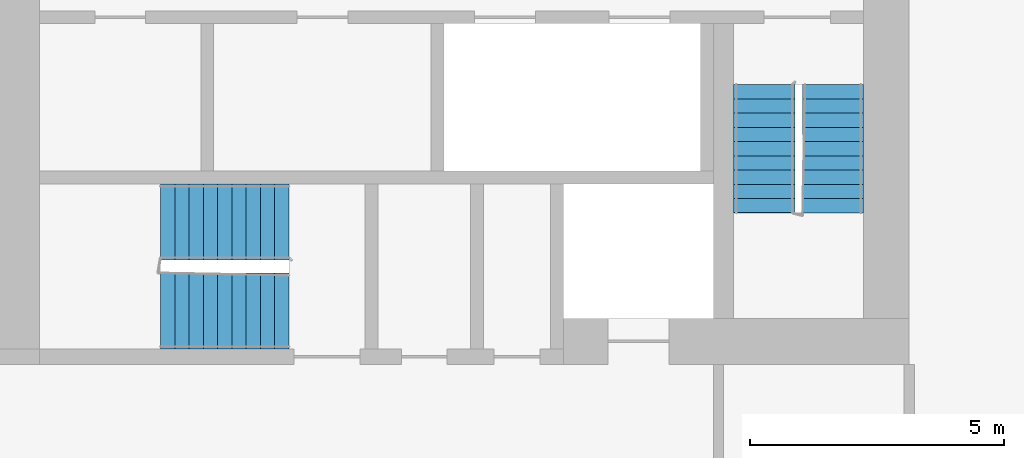
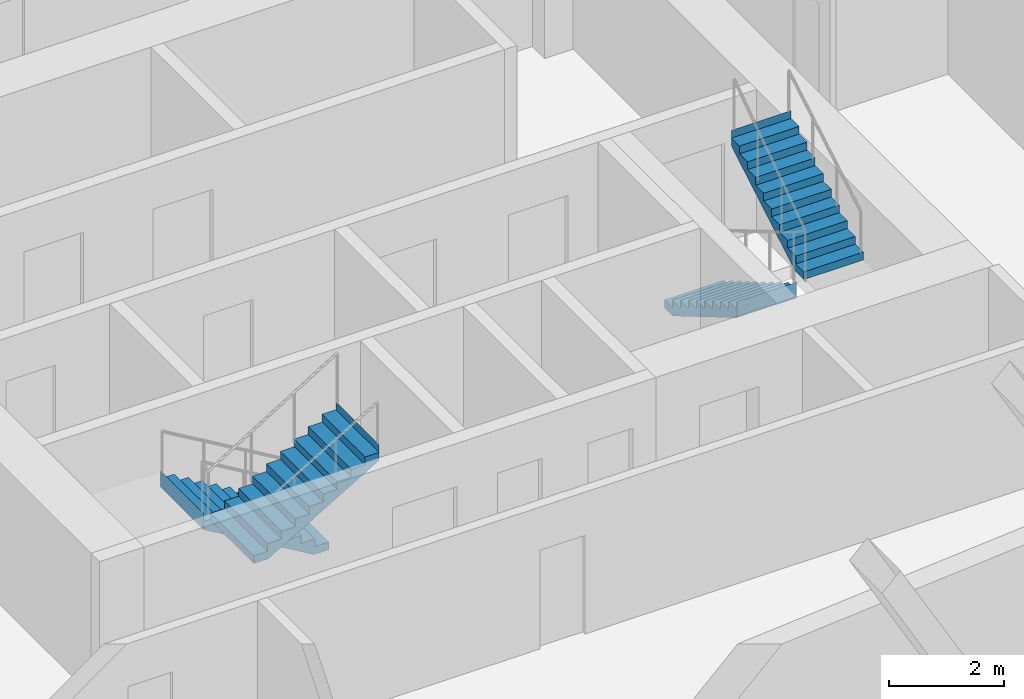
# One storey, part 9 of 13: 4 stair flights, 2 elements without a shape of their own.
"""IFC4 building model written with IfcOpenShell, lengths in metres."""

from ifc_helpers import new_model, si_unit, direction, frame, origin, place, context, subcontext, project, spatial, faceted_brep, material, type_object, element, aggregate, save


model = new_model("IFC4")

# Units and contexts
model_context = context("Model", 3, precision=1e-05, world=origin(), true_north=direction((0.0, 1.0)))
body_context = subcontext(model_context, "Body", "Model", "MODEL_VIEW")
ifc_project = project(units=[si_unit("LENGTHUNIT", "METRE"), si_unit("AREAUNIT", "SQUARE_METRE"), si_unit("VOLUMEUNIT", "CUBIC_METRE"), si_unit("PLANEANGLEUNIT", "RADIAN"), si_unit("MASSUNIT", "GRAM", prefix="KILO")], contexts=[model_context])

# Site, building, storey
site_placement = place(None, origin())
site = spatial("IfcSite", under=ifc_project, at=site_placement, CompositionType="ELEMENT")
building_placement = place(site_placement, origin())
building = spatial("IfcBuilding", under=site, at=building_placement, Name="Kajstack Hotel Tower", CompositionType="ELEMENT")
storey_placement = place(building_placement, frame((0.0, 0.0, 186.699951171875)))
storey = spatial("IfcBuildingStorey", under=building, at=storey_placement, Name="L44", CompositionType="ELEMENT", Elevation=186.699951171875)

# Stair, stair flights
ifc_material = material(Name="Concrete C40/50", Category="concrete")
stair_type_1 = type_object("IfcStairType", Name="Exit stair 1200", PredefinedType="HALF_TURN_STAIR", material=ifc_material)
stair_1_placement = place(storey_placement, origin())
stair_1 = element("IfcStair", 1, at=stair_1_placement, inside=storey, type_object=stair_type_1, Name="L44 stair W2", PredefinedType="HALF_TURN_STAIR")
stair_flight_type_1 = type_object("IfcStairFlightType", Name="Exit stair flight 1200", PredefinedType="STRAIGHT", material=ifc_material)
stair_flight_1_placement = place(storey_placement, frame((-16.35009765625, -10.0, 0.0), z_axis=(0.0, 0.0, 1.0), x_axis=(0.0, -1.0, 0.0)))
stair_flight_1 = element("IfcStairFlight", 2, at=stair_flight_1_placement, type_object=stair_flight_type_1, Name="W2 flight 1", NumberOfRisers=10, NumberOfTreads=9, PredefinedType="STRAIGHT", RiserHeight=0.165, TreadLength=0.28, context=body_context, shape_type="Brep", body=[
    faceted_brep([(0.295654296875, -0.60009765625, 0.0), (2.5205078125, -0.60009765625, 1.31103515625), (2.5205078125, -0.60009765625, 1.64990234375), (2.52001953125, -0.60009765625, 1.64990234375), (2.52001953125, -0.60009765625, 1.485107421875), (2.239990234375, -0.60009765625, 1.485107421875), (2.239990234375, -0.60009765625, 1.320068359375), (1.9599609375, -0.60009765625, 1.320068359375), (1.9599609375, -0.60009765625, 1.155029296875), (1.679931640625, -0.60009765625, 1.155029296875), (1.679931640625, -0.60009765625, 0.989990234375), (1.39990234375, -0.60009765625, 0.989990234375), (1.39990234375, -0.60009765625, 0.824951171875), (1.1201171875, -0.60009765625, 0.824951171875), (1.1201171875, -0.60009765625, 0.659912109375), (0.840087890625, -0.60009765625, 0.659912109375), (0.840087890625, -0.60009765625, 0.4951171875), (0.56005859375, -0.60009765625, 0.4951171875), (0.56005859375, -0.60009765625, 0.330078125), (0.280029296875, -0.60009765625, 0.330078125), (0.280029296875, -0.60009765625, 0.1650390625), (-0.00048828125, -0.60009765625, 0.1650390625), (-0.00048828125, -0.60009765625, 0.0), (-0.00048828125, 0.60009765625, 0.0), (-0.00048828125, 0.60009765625, 0.1650390625), (0.280029296875, 0.60009765625, 0.1650390625), (0.280029296875, 0.60009765625, 0.330078125), (0.56005859375, 0.60009765625, 0.330078125), (0.56005859375, 0.60009765625, 0.4951171875), (0.840087890625, 0.60009765625, 0.4951171875), (0.840087890625, 0.60009765625, 0.659912109375), (1.1201171875, 0.60009765625, 0.659912109375), (1.1201171875, 0.60009765625, 0.824951171875), (1.39990234375, 0.60009765625, 0.824951171875), (1.39990234375, 0.60009765625, 0.989990234375), (1.679931640625, 0.60009765625, 0.989990234375), (1.679931640625, 0.60009765625, 1.155029296875), (1.9599609375, 0.60009765625, 1.155029296875), (1.9599609375, 0.60009765625, 1.320068359375), (2.239990234375, 0.60009765625, 1.320068359375), (2.239990234375, 0.60009765625, 1.485107421875), (2.52001953125, 0.60009765625, 1.485107421875), (2.52001953125, 0.60009765625, 1.64990234375), (2.5205078125, 0.60009765625, 1.64990234375), (2.5205078125, 0.60009765625, 1.31103515625), (0.295654296875, 0.60009765625, 0.0), (-0.00048828125, -0.300048828125, 0.1650390625), (-0.00048828125, 0.0, 0.1650390625), (-0.00048828125, 0.300048828125, 0.1650390625), (-0.00048828125, 0.300048828125, 0.0), (-0.00048828125, 0.0, 0.0), (-0.00048828125, -0.300048828125, 0.0), (0.280029296875, -0.300048828125, 0.1650390625), (0.280029296875, 0.0, 0.1650390625), (0.280029296875, 0.300048828125, 0.1650390625), (0.280029296875, -0.300048828125, 0.330078125), (0.280029296875, 0.0, 0.330078125), (0.280029296875, 0.300048828125, 0.330078125), (0.56005859375, -0.300048828125, 0.330078125), (0.56005859375, 0.0, 0.330078125), (0.56005859375, 0.300048828125, 0.330078125), (0.56005859375, -0.300048828125, 0.4951171875), (0.56005859375, 0.0, 0.4951171875), (0.56005859375, 0.300048828125, 0.4951171875), (0.840087890625, -0.300048828125, 0.4951171875), (0.840087890625, 0.0, 0.4951171875), (0.840087890625, 0.300048828125, 0.4951171875), (0.840087890625, -0.300048828125, 0.659912109375), (0.840087890625, 0.0, 0.659912109375), (0.840087890625, 0.300048828125, 0.659912109375), (1.1201171875, -0.300048828125, 0.659912109375), (1.1201171875, 0.0, 0.659912109375), (1.1201171875, 0.300048828125, 0.659912109375), (1.1201171875, -0.300048828125, 0.824951171875), (1.1201171875, 0.0, 0.824951171875), (1.1201171875, 0.300048828125, 0.824951171875), (1.39990234375, -0.300048828125, 0.824951171875), (1.39990234375, 0.0, 0.824951171875), (1.39990234375, 0.300048828125, 0.824951171875), (1.39990234375, -0.300048828125, 0.989990234375), (1.39990234375, 0.0, 0.989990234375), (1.39990234375, 0.300048828125, 0.989990234375), (1.679931640625, -0.300048828125, 0.989990234375), (1.679931640625, 0.0, 0.989990234375), (1.679931640625, 0.300048828125, 0.989990234375), (1.679931640625, -0.300048828125, 1.155029296875), (1.679931640625, 0.0, 1.155029296875), (1.679931640625, 0.300048828125, 1.155029296875), (1.9599609375, -0.300048828125, 1.155029296875), (1.9599609375, 0.0, 1.155029296875), (1.9599609375, 0.300048828125, 1.155029296875), (1.9599609375, -0.300048828125, 1.320068359375), (1.9599609375, 0.0, 1.320068359375), (1.9599609375, 0.300048828125, 1.320068359375), (2.239990234375, -0.300048828125, 1.320068359375), (2.239990234375, 0.0, 1.320068359375), (2.239990234375, 0.300048828125, 1.320068359375), (2.239990234375, -0.300048828125, 1.485107421875), (2.239990234375, 0.0, 1.485107421875), (2.239990234375, 0.300048828125, 1.485107421875), (2.52001953125, -0.300048828125, 1.485107421875), (2.52001953125, 0.0, 1.485107421875), (2.52001953125, 0.300048828125, 1.485107421875), (2.52001953125, -0.300048828125, 1.64990234375), (2.52001953125, 0.0, 1.64990234375), (2.52001953125, 0.300048828125, 1.64990234375), (2.5205078125, -0.300048828125, 1.64990234375), (2.5205078125, 0.0, 1.64990234375), (2.5205078125, 0.300048828125, 1.64990234375), (2.5205078125, -0.300048828125, 1.31103515625), (2.5205078125, 0.0, 1.31103515625), (2.5205078125, 0.300048828125, 1.31103515625), (0.295654296875, -0.300048828125, 0.0), (0.295654296875, 0.0, 0.0), (0.295654296875, 0.300048828125, 0.0)], [[[0, 1, 2, 3, 4, 5, 6, 7, 8, 9, 10, 11, 12, 13, 14, 15, 16, 17, 18, 19, 20, 21, 22]], [[23, 24, 25, 26, 27, 28, 29, 30, 31, 32, 33, 34, 35, 36, 37, 38, 39, 40, 41, 42, 43, 44, 45]], [[21, 46, 47, 48, 24, 23, 49, 50, 51, 22]], [[20, 52, 53, 54, 25, 24, 48, 47, 46, 21]], [[19, 55, 56, 57, 26, 25, 54, 53, 52, 20]], [[18, 58, 59, 60, 27, 26, 57, 56, 55, 19]], [[17, 61, 62, 63, 28, 27, 60, 59, 58, 18]], [[16, 64, 65, 66, 29, 28, 63, 62, 61, 17]], [[15, 67, 68, 69, 30, 29, 66, 65, 64, 16]], [[14, 70, 71, 72, 31, 30, 69, 68, 67, 15]], [[13, 73, 74, 75, 32, 31, 72, 71, 70, 14]], [[12, 76, 77, 78, 33, 32, 75, 74, 73, 13]], [[11, 79, 80, 81, 34, 33, 78, 77, 76, 12]], [[10, 82, 83, 84, 35, 34, 81, 80, 79, 11]], [[9, 85, 86, 87, 36, 35, 84, 83, 82, 10]], [[8, 88, 89, 90, 37, 36, 87, 86, 85, 9]], [[7, 91, 92, 93, 38, 37, 90, 89, 88, 8]], [[6, 94, 95, 96, 39, 38, 93, 92, 91, 7]], [[5, 97, 98, 99, 40, 39, 96, 95, 94, 6]], [[4, 100, 101, 102, 41, 40, 99, 98, 97, 5]], [[3, 103, 104, 105, 42, 41, 102, 101, 100, 4]], [[2, 106, 107, 108, 43, 42, 105, 104, 103, 3]], [[1, 109, 110, 111, 44, 43, 108, 107, 106, 2]], [[0, 112, 113, 114, 45, 44, 111, 110, 109, 1]], [[22, 51, 50, 49, 23, 45, 114, 113, 112, 0]]]),
])
stair_flight_2_placement = place(storey_placement, frame((-15.0, -12.52001953125, 1.650146484375), z_axis=(0.0, 0.0, 1.0), x_axis=(0.0, 1.0, 0.0)))
stair_flight_2 = element("IfcStairFlight", 3, at=stair_flight_2_placement, type_object=stair_flight_type_1, Name="W2 flight 2", NumberOfRisers=10, NumberOfTreads=9, PredefinedType="STRAIGHT", RiserHeight=0.165, TreadLength=0.28, context=body_context, shape_type="Brep", body=[
    faceted_brep([(0.295654296875, -0.60009765625, 0.0), (2.5205078125, -0.60009765625, 1.31103515625), (2.5205078125, -0.60009765625, 1.64990234375), (2.52001953125, -0.60009765625, 1.64990234375), (2.52001953125, -0.60009765625, 1.485107421875), (2.239990234375, -0.60009765625, 1.485107421875), (2.239990234375, -0.60009765625, 1.320068359375), (1.9599609375, -0.60009765625, 1.320068359375), (1.9599609375, -0.60009765625, 1.155029296875), (1.679931640625, -0.60009765625, 1.155029296875), (1.679931640625, -0.60009765625, 0.989990234375), (1.39990234375, -0.60009765625, 0.989990234375), (1.39990234375, -0.60009765625, 0.824951171875), (1.1201171875, -0.60009765625, 0.824951171875), (1.1201171875, -0.60009765625, 0.659912109375), (0.840087890625, -0.60009765625, 0.659912109375), (0.840087890625, -0.60009765625, 0.4951171875), (0.56005859375, -0.60009765625, 0.4951171875), (0.56005859375, -0.60009765625, 0.330078125), (0.280029296875, -0.60009765625, 0.330078125), (0.280029296875, -0.60009765625, 0.1650390625), (-0.00048828125, -0.60009765625, 0.1650390625), (-0.00048828125, -0.60009765625, 0.0), (-0.00048828125, 0.60009765625, 0.0), (-0.00048828125, 0.60009765625, 0.1650390625), (0.280029296875, 0.60009765625, 0.1650390625), (0.280029296875, 0.60009765625, 0.330078125), (0.56005859375, 0.60009765625, 0.330078125), (0.56005859375, 0.60009765625, 0.4951171875), (0.840087890625, 0.60009765625, 0.4951171875), (0.840087890625, 0.60009765625, 0.659912109375), (1.1201171875, 0.60009765625, 0.659912109375), (1.1201171875, 0.60009765625, 0.824951171875), (1.39990234375, 0.60009765625, 0.824951171875), (1.39990234375, 0.60009765625, 0.989990234375), (1.679931640625, 0.60009765625, 0.989990234375), (1.679931640625, 0.60009765625, 1.155029296875), (1.9599609375, 0.60009765625, 1.155029296875), (1.9599609375, 0.60009765625, 1.320068359375), (2.239990234375, 0.60009765625, 1.320068359375), (2.239990234375, 0.60009765625, 1.485107421875), (2.52001953125, 0.60009765625, 1.485107421875), (2.52001953125, 0.60009765625, 1.64990234375), (2.5205078125, 0.60009765625, 1.64990234375), (2.5205078125, 0.60009765625, 1.31103515625), (0.295654296875, 0.60009765625, 0.0), (-0.00048828125, -0.300048828125, 0.1650390625), (-0.00048828125, 0.0, 0.1650390625), (-0.00048828125, 0.300048828125, 0.1650390625), (-0.00048828125, 0.300048828125, 0.0), (-0.00048828125, 0.0, 0.0), (-0.00048828125, -0.300048828125, 0.0), (0.280029296875, -0.300048828125, 0.1650390625), (0.280029296875, 0.0, 0.1650390625), (0.280029296875, 0.300048828125, 0.1650390625), (0.280029296875, -0.300048828125, 0.330078125), (0.280029296875, 0.0, 0.330078125), (0.280029296875, 0.300048828125, 0.330078125), (0.56005859375, -0.300048828125, 0.330078125), (0.56005859375, 0.0, 0.330078125), (0.56005859375, 0.300048828125, 0.330078125), (0.56005859375, -0.300048828125, 0.4951171875), (0.56005859375, 0.0, 0.4951171875), (0.56005859375, 0.300048828125, 0.4951171875), (0.840087890625, -0.300048828125, 0.4951171875), (0.840087890625, 0.0, 0.4951171875), (0.840087890625, 0.300048828125, 0.4951171875), (0.840087890625, -0.300048828125, 0.659912109375), (0.840087890625, 0.0, 0.659912109375), (0.840087890625, 0.300048828125, 0.659912109375), (1.1201171875, -0.300048828125, 0.659912109375), (1.1201171875, 0.0, 0.659912109375), (1.1201171875, 0.300048828125, 0.659912109375), (1.1201171875, -0.300048828125, 0.824951171875), (1.1201171875, 0.0, 0.824951171875), (1.1201171875, 0.300048828125, 0.824951171875), (1.39990234375, -0.300048828125, 0.824951171875), (1.39990234375, 0.0, 0.824951171875), (1.39990234375, 0.300048828125, 0.824951171875), (1.39990234375, -0.300048828125, 0.989990234375), (1.39990234375, 0.0, 0.989990234375), (1.39990234375, 0.300048828125, 0.989990234375), (1.679931640625, -0.300048828125, 0.989990234375), (1.679931640625, 0.0, 0.989990234375), (1.679931640625, 0.300048828125, 0.989990234375), (1.679931640625, -0.300048828125, 1.155029296875), (1.679931640625, 0.0, 1.155029296875), (1.679931640625, 0.300048828125, 1.155029296875), (1.9599609375, -0.300048828125, 1.155029296875), (1.9599609375, 0.0, 1.155029296875), (1.9599609375, 0.300048828125, 1.155029296875), (1.9599609375, -0.300048828125, 1.320068359375), (1.9599609375, 0.0, 1.320068359375), (1.9599609375, 0.300048828125, 1.320068359375), (2.239990234375, -0.300048828125, 1.320068359375), (2.239990234375, 0.0, 1.320068359375), (2.239990234375, 0.300048828125, 1.320068359375), (2.239990234375, -0.300048828125, 1.485107421875), (2.239990234375, 0.0, 1.485107421875), (2.239990234375, 0.300048828125, 1.485107421875), (2.52001953125, -0.300048828125, 1.485107421875), (2.52001953125, 0.0, 1.485107421875), (2.52001953125, 0.300048828125, 1.485107421875), (2.52001953125, -0.300048828125, 1.64990234375), (2.52001953125, 0.0, 1.64990234375), (2.52001953125, 0.300048828125, 1.64990234375), (2.5205078125, -0.300048828125, 1.64990234375), (2.5205078125, 0.0, 1.64990234375), (2.5205078125, 0.300048828125, 1.64990234375), (2.5205078125, -0.300048828125, 1.31103515625), (2.5205078125, 0.0, 1.31103515625), (2.5205078125, 0.300048828125, 1.31103515625), (0.295654296875, -0.300048828125, 0.0), (0.295654296875, 0.0, 0.0), (0.295654296875, 0.300048828125, 0.0)], [[[0, 1, 2, 3, 4, 5, 6, 7, 8, 9, 10, 11, 12, 13, 14, 15, 16, 17, 18, 19, 20, 21, 22]], [[23, 24, 25, 26, 27, 28, 29, 30, 31, 32, 33, 34, 35, 36, 37, 38, 39, 40, 41, 42, 43, 44, 45]], [[21, 46, 47, 48, 24, 23, 49, 50, 51, 22]], [[20, 52, 53, 54, 25, 24, 48, 47, 46, 21]], [[19, 55, 56, 57, 26, 25, 54, 53, 52, 20]], [[18, 58, 59, 60, 27, 26, 57, 56, 55, 19]], [[17, 61, 62, 63, 28, 27, 60, 59, 58, 18]], [[16, 64, 65, 66, 29, 28, 63, 62, 61, 17]], [[15, 67, 68, 69, 30, 29, 66, 65, 64, 16]], [[14, 70, 71, 72, 31, 30, 69, 68, 67, 15]], [[13, 73, 74, 75, 32, 31, 72, 71, 70, 14]], [[12, 76, 77, 78, 33, 32, 75, 74, 73, 13]], [[11, 79, 80, 81, 34, 33, 78, 77, 76, 12]], [[10, 82, 83, 84, 35, 34, 81, 80, 79, 11]], [[9, 85, 86, 87, 36, 35, 84, 83, 82, 10]], [[8, 88, 89, 90, 37, 36, 87, 86, 85, 9]], [[7, 91, 92, 93, 38, 37, 90, 89, 88, 8]], [[6, 94, 95, 96, 39, 38, 93, 92, 91, 7]], [[5, 97, 98, 99, 40, 39, 96, 95, 94, 6]], [[4, 100, 101, 102, 41, 40, 99, 98, 97, 5]], [[3, 103, 104, 105, 42, 41, 102, 101, 100, 4]], [[2, 106, 107, 108, 43, 42, 105, 104, 103, 3]], [[1, 109, 110, 111, 44, 43, 108, 107, 106, 2]], [[0, 112, 113, 114, 45, 44, 111, 110, 109, 1]], [[22, 51, 50, 49, 23, 45, 114, 113, 112, 0]]]),
])
aggregate(stair_1, [stair_flight_1, stair_flight_2])

stair_type_2 = type_object("IfcStairType", Name="Exit stair 1500", PredefinedType="HALF_TURN_STAIR", material=ifc_material)
stair_2_placement = place(storey_placement, origin())
stair_2 = element("IfcStair", 4, at=stair_2_placement, inside=storey, type_object=stair_type_2, Name="L44 stair W3", PredefinedType="HALF_TURN_STAIR")
stair_flight_type_2 = type_object("IfcStairFlightType", Name="Exit stair flight 1500", PredefinedType="STRAIGHT", material=ifc_material)
stair_flight_3_placement = place(storey_placement, frame((-25.699951171875, -12.699951171875, 0.0), z_axis=(0.0, 0.0, 1.0), x_axis=(-1.0, 0.0, 0.0)))
stair_flight_3 = element("IfcStairFlight", 5, at=stair_flight_3_placement, type_object=stair_flight_type_2, Name="W3 flight 1", NumberOfRisers=10, NumberOfTreads=9, PredefinedType="STRAIGHT", RiserHeight=0.165, TreadLength=0.28, context=body_context, shape_type="Brep", body=[
    faceted_brep([(0.295654296875, -0.75, 0.0), (2.5205078125, -0.75, 1.31103515625), (2.5205078125, -0.75, 1.64990234375), (2.52001953125, -0.75, 1.64990234375), (2.52001953125, -0.75, 1.485107421875), (2.239990234375, -0.75, 1.485107421875), (2.239990234375, -0.75, 1.320068359375), (1.9599609375, -0.75, 1.320068359375), (1.9599609375, -0.75, 1.155029296875), (1.679931640625, -0.75, 1.155029296875), (1.679931640625, -0.75, 0.989990234375), (1.39990234375, -0.75, 0.989990234375), (1.39990234375, -0.75, 0.824951171875), (1.1201171875, -0.75, 0.824951171875), (1.1201171875, -0.75, 0.659912109375), (0.840087890625, -0.75, 0.659912109375), (0.840087890625, -0.75, 0.4951171875), (0.56005859375, -0.75, 0.4951171875), (0.56005859375, -0.75, 0.330078125), (0.280029296875, -0.75, 0.330078125), (0.280029296875, -0.75, 0.1650390625), (-0.00048828125, -0.75, 0.1650390625), (-0.00048828125, -0.75, 0.0), (-0.00048828125, 0.75, 0.0), (-0.00048828125, 0.75, 0.1650390625), (0.280029296875, 0.75, 0.1650390625), (0.280029296875, 0.75, 0.330078125), (0.56005859375, 0.75, 0.330078125), (0.56005859375, 0.75, 0.4951171875), (0.840087890625, 0.75, 0.4951171875), (0.840087890625, 0.75, 0.659912109375), (1.1201171875, 0.75, 0.659912109375), (1.1201171875, 0.75, 0.824951171875), (1.39990234375, 0.75, 0.824951171875), (1.39990234375, 0.75, 0.989990234375), (1.679931640625, 0.75, 0.989990234375), (1.679931640625, 0.75, 1.155029296875), (1.9599609375, 0.75, 1.155029296875), (1.9599609375, 0.75, 1.320068359375), (2.239990234375, 0.75, 1.320068359375), (2.239990234375, 0.75, 1.485107421875), (2.52001953125, 0.75, 1.485107421875), (2.52001953125, 0.75, 1.64990234375), (2.5205078125, 0.75, 1.64990234375), (2.5205078125, 0.75, 1.31103515625), (0.295654296875, 0.75, 0.0), (-0.00048828125, -0.375, 0.1650390625), (-0.00048828125, 0.0, 0.1650390625), (-0.00048828125, 0.375, 0.1650390625), (-0.00048828125, 0.375, 0.0), (-0.00048828125, 0.0, 0.0), (-0.00048828125, -0.375, 0.0), (0.280029296875, -0.375, 0.1650390625), (0.280029296875, 0.0, 0.1650390625), (0.280029296875, 0.375, 0.1650390625), (0.280029296875, -0.375, 0.330078125), (0.280029296875, 0.0, 0.330078125), (0.280029296875, 0.375, 0.330078125), (0.56005859375, -0.375, 0.330078125), (0.56005859375, 0.0, 0.330078125), (0.56005859375, 0.375, 0.330078125), (0.56005859375, -0.375, 0.4951171875), (0.56005859375, 0.0, 0.4951171875), (0.56005859375, 0.375, 0.4951171875), (0.840087890625, -0.375, 0.4951171875), (0.840087890625, 0.0, 0.4951171875), (0.840087890625, 0.375, 0.4951171875), (0.840087890625, -0.375, 0.659912109375), (0.840087890625, 0.0, 0.659912109375), (0.840087890625, 0.375, 0.659912109375), (1.1201171875, -0.375, 0.659912109375), (1.1201171875, 0.0, 0.659912109375), (1.1201171875, 0.375, 0.659912109375), (1.1201171875, -0.375, 0.824951171875), (1.1201171875, 0.0, 0.824951171875), (1.1201171875, 0.375, 0.824951171875), (1.39990234375, -0.375, 0.824951171875), (1.39990234375, 0.0, 0.824951171875), (1.39990234375, 0.375, 0.824951171875), (1.39990234375, -0.375, 0.989990234375), (1.39990234375, 0.0, 0.989990234375), (1.39990234375, 0.375, 0.989990234375), (1.679931640625, -0.375, 0.989990234375), (1.679931640625, 0.0, 0.989990234375), (1.679931640625, 0.375, 0.989990234375), (1.679931640625, -0.375, 1.155029296875), (1.679931640625, 0.0, 1.155029296875), (1.679931640625, 0.375, 1.155029296875), (1.9599609375, -0.375, 1.155029296875), (1.9599609375, 0.0, 1.155029296875), (1.9599609375, 0.375, 1.155029296875), (1.9599609375, -0.375, 1.320068359375), (1.9599609375, 0.0, 1.320068359375), (1.9599609375, 0.375, 1.320068359375), (2.239990234375, -0.375, 1.320068359375), (2.239990234375, 0.0, 1.320068359375), (2.239990234375, 0.375, 1.320068359375), (2.239990234375, -0.375, 1.485107421875), (2.239990234375, 0.0, 1.485107421875), (2.239990234375, 0.375, 1.485107421875), (2.52001953125, -0.375, 1.485107421875), (2.52001953125, 0.0, 1.485107421875), (2.52001953125, 0.375, 1.485107421875), (2.52001953125, -0.375, 1.64990234375), (2.52001953125, 0.0, 1.64990234375), (2.52001953125, 0.375, 1.64990234375), (2.5205078125, -0.375, 1.64990234375), (2.5205078125, 0.0, 1.64990234375), (2.5205078125, 0.375, 1.64990234375), (2.5205078125, -0.375, 1.31103515625), (2.5205078125, 0.0, 1.31103515625), (2.5205078125, 0.375, 1.31103515625), (0.295654296875, -0.375, 0.0), (0.295654296875, 0.0, 0.0), (0.295654296875, 0.375, 0.0)], [[[0, 1, 2, 3, 4, 5, 6, 7, 8, 9, 10, 11, 12, 13, 14, 15, 16, 17, 18, 19, 20, 21, 22]], [[23, 24, 25, 26, 27, 28, 29, 30, 31, 32, 33, 34, 35, 36, 37, 38, 39, 40, 41, 42, 43, 44, 45]], [[21, 46, 47, 48, 24, 23, 49, 50, 51, 22]], [[20, 52, 53, 54, 25, 24, 48, 47, 46, 21]], [[19, 55, 56, 57, 26, 25, 54, 53, 52, 20]], [[18, 58, 59, 60, 27, 26, 57, 56, 55, 19]], [[17, 61, 62, 63, 28, 27, 60, 59, 58, 18]], [[16, 64, 65, 66, 29, 28, 63, 62, 61, 17]], [[15, 67, 68, 69, 30, 29, 66, 65, 64, 16]], [[14, 70, 71, 72, 31, 30, 69, 68, 67, 15]], [[13, 73, 74, 75, 32, 31, 72, 71, 70, 14]], [[12, 76, 77, 78, 33, 32, 75, 74, 73, 13]], [[11, 79, 80, 81, 34, 33, 78, 77, 76, 12]], [[10, 82, 83, 84, 35, 34, 81, 80, 79, 11]], [[9, 85, 86, 87, 36, 35, 84, 83, 82, 10]], [[8, 88, 89, 90, 37, 36, 87, 86, 85, 9]], [[7, 91, 92, 93, 38, 37, 90, 89, 88, 8]], [[6, 94, 95, 96, 39, 38, 93, 92, 91, 7]], [[5, 97, 98, 99, 40, 39, 96, 95, 94, 6]], [[4, 100, 101, 102, 41, 40, 99, 98, 97, 5]], [[3, 103, 104, 105, 42, 41, 102, 101, 100, 4]], [[2, 106, 107, 108, 43, 42, 105, 104, 103, 3]], [[1, 109, 110, 111, 44, 43, 108, 107, 106, 2]], [[0, 112, 113, 114, 45, 44, 111, 110, 109, 1]], [[22, 51, 50, 49, 23, 45, 114, 113, 112, 0]]]),
])
stair_flight_4_placement = place(storey_placement, frame((-28.219970703125, -14.449951171875, 1.650146484375), z_axis=(0.0, 0.0, 1.0), x_axis=(1.0, 0.0, 0.0)))
stair_flight_4 = element("IfcStairFlight", 6, at=stair_flight_4_placement, type_object=stair_flight_type_2, Name="W3 flight 2", NumberOfRisers=10, NumberOfTreads=9, PredefinedType="STRAIGHT", RiserHeight=0.165, TreadLength=0.28, context=body_context, shape_type="Brep", body=[
    faceted_brep([(0.295654296875, -0.75, 0.0), (2.5205078125, -0.75, 1.31103515625), (2.5205078125, -0.75, 1.64990234375), (2.52001953125, -0.75, 1.64990234375), (2.52001953125, -0.75, 1.485107421875), (2.239990234375, -0.75, 1.485107421875), (2.239990234375, -0.75, 1.320068359375), (1.9599609375, -0.75, 1.320068359375), (1.9599609375, -0.75, 1.155029296875), (1.679931640625, -0.75, 1.155029296875), (1.679931640625, -0.75, 0.989990234375), (1.39990234375, -0.75, 0.989990234375), (1.39990234375, -0.75, 0.824951171875), (1.1201171875, -0.75, 0.824951171875), (1.1201171875, -0.75, 0.659912109375), (0.840087890625, -0.75, 0.659912109375), (0.840087890625, -0.75, 0.4951171875), (0.56005859375, -0.75, 0.4951171875), (0.56005859375, -0.75, 0.330078125), (0.280029296875, -0.75, 0.330078125), (0.280029296875, -0.75, 0.1650390625), (-0.00048828125, -0.75, 0.1650390625), (-0.00048828125, -0.75, 0.0), (-0.00048828125, 0.75, 0.0), (-0.00048828125, 0.75, 0.1650390625), (0.280029296875, 0.75, 0.1650390625), (0.280029296875, 0.75, 0.330078125), (0.56005859375, 0.75, 0.330078125), (0.56005859375, 0.75, 0.4951171875), (0.840087890625, 0.75, 0.4951171875), (0.840087890625, 0.75, 0.659912109375), (1.1201171875, 0.75, 0.659912109375), (1.1201171875, 0.75, 0.824951171875), (1.39990234375, 0.75, 0.824951171875), (1.39990234375, 0.75, 0.989990234375), (1.679931640625, 0.75, 0.989990234375), (1.679931640625, 0.75, 1.155029296875), (1.9599609375, 0.75, 1.155029296875), (1.9599609375, 0.75, 1.320068359375), (2.239990234375, 0.75, 1.320068359375), (2.239990234375, 0.75, 1.485107421875), (2.52001953125, 0.75, 1.485107421875), (2.52001953125, 0.75, 1.64990234375), (2.5205078125, 0.75, 1.64990234375), (2.5205078125, 0.75, 1.31103515625), (0.295654296875, 0.75, 0.0), (-0.00048828125, -0.375, 0.1650390625), (-0.00048828125, 0.0, 0.1650390625), (-0.00048828125, 0.375, 0.1650390625), (-0.00048828125, 0.375, 0.0), (-0.00048828125, 0.0, 0.0), (-0.00048828125, -0.375, 0.0), (0.280029296875, -0.375, 0.1650390625), (0.280029296875, 0.0, 0.1650390625), (0.280029296875, 0.375, 0.1650390625), (0.280029296875, -0.375, 0.330078125), (0.280029296875, 0.0, 0.330078125), (0.280029296875, 0.375, 0.330078125), (0.56005859375, -0.375, 0.330078125), (0.56005859375, 0.0, 0.330078125), (0.56005859375, 0.375, 0.330078125), (0.56005859375, -0.375, 0.4951171875), (0.56005859375, 0.0, 0.4951171875), (0.56005859375, 0.375, 0.4951171875), (0.840087890625, -0.375, 0.4951171875), (0.840087890625, 0.0, 0.4951171875), (0.840087890625, 0.375, 0.4951171875), (0.840087890625, -0.375, 0.659912109375), (0.840087890625, 0.0, 0.659912109375), (0.840087890625, 0.375, 0.659912109375), (1.1201171875, -0.375, 0.659912109375), (1.1201171875, 0.0, 0.659912109375), (1.1201171875, 0.375, 0.659912109375), (1.1201171875, -0.375, 0.824951171875), (1.1201171875, 0.0, 0.824951171875), (1.1201171875, 0.375, 0.824951171875), (1.39990234375, -0.375, 0.824951171875), (1.39990234375, 0.0, 0.824951171875), (1.39990234375, 0.375, 0.824951171875), (1.39990234375, -0.375, 0.989990234375), (1.39990234375, 0.0, 0.989990234375), (1.39990234375, 0.375, 0.989990234375), (1.679931640625, -0.375, 0.989990234375), (1.679931640625, 0.0, 0.989990234375), (1.679931640625, 0.375, 0.989990234375), (1.679931640625, -0.375, 1.155029296875), (1.679931640625, 0.0, 1.155029296875), (1.679931640625, 0.375, 1.155029296875), (1.9599609375, -0.375, 1.155029296875), (1.9599609375, 0.0, 1.155029296875), (1.9599609375, 0.375, 1.155029296875), (1.9599609375, -0.375, 1.320068359375), (1.9599609375, 0.0, 1.320068359375), (1.9599609375, 0.375, 1.320068359375), (2.239990234375, -0.375, 1.320068359375), (2.239990234375, 0.0, 1.320068359375), (2.239990234375, 0.375, 1.320068359375), (2.239990234375, -0.375, 1.485107421875), (2.239990234375, 0.0, 1.485107421875), (2.239990234375, 0.375, 1.485107421875), (2.52001953125, -0.375, 1.485107421875), (2.52001953125, 0.0, 1.485107421875), (2.52001953125, 0.375, 1.485107421875), (2.52001953125, -0.375, 1.64990234375), (2.52001953125, 0.0, 1.64990234375), (2.52001953125, 0.375, 1.64990234375), (2.5205078125, -0.375, 1.64990234375), (2.5205078125, 0.0, 1.64990234375), (2.5205078125, 0.375, 1.64990234375), (2.5205078125, -0.375, 1.31103515625), (2.5205078125, 0.0, 1.31103515625), (2.5205078125, 0.375, 1.31103515625), (0.295654296875, -0.375, 0.0), (0.295654296875, 0.0, 0.0), (0.295654296875, 0.375, 0.0)], [[[0, 1, 2, 3, 4, 5, 6, 7, 8, 9, 10, 11, 12, 13, 14, 15, 16, 17, 18, 19, 20, 21, 22]], [[23, 24, 25, 26, 27, 28, 29, 30, 31, 32, 33, 34, 35, 36, 37, 38, 39, 40, 41, 42, 43, 44, 45]], [[21, 46, 47, 48, 24, 23, 49, 50, 51, 22]], [[20, 52, 53, 54, 25, 24, 48, 47, 46, 21]], [[19, 55, 56, 57, 26, 25, 54, 53, 52, 20]], [[18, 58, 59, 60, 27, 26, 57, 56, 55, 19]], [[17, 61, 62, 63, 28, 27, 60, 59, 58, 18]], [[16, 64, 65, 66, 29, 28, 63, 62, 61, 17]], [[15, 67, 68, 69, 30, 29, 66, 65, 64, 16]], [[14, 70, 71, 72, 31, 30, 69, 68, 67, 15]], [[13, 73, 74, 75, 32, 31, 72, 71, 70, 14]], [[12, 76, 77, 78, 33, 32, 75, 74, 73, 13]], [[11, 79, 80, 81, 34, 33, 78, 77, 76, 12]], [[10, 82, 83, 84, 35, 34, 81, 80, 79, 11]], [[9, 85, 86, 87, 36, 35, 84, 83, 82, 10]], [[8, 88, 89, 90, 37, 36, 87, 86, 85, 9]], [[7, 91, 92, 93, 38, 37, 90, 89, 88, 8]], [[6, 94, 95, 96, 39, 38, 93, 92, 91, 7]], [[5, 97, 98, 99, 40, 39, 96, 95, 94, 6]], [[4, 100, 101, 102, 41, 40, 99, 98, 97, 5]], [[3, 103, 104, 105, 42, 41, 102, 101, 100, 4]], [[2, 106, 107, 108, 43, 42, 105, 104, 103, 3]], [[1, 109, 110, 111, 44, 43, 108, 107, 106, 2]], [[0, 112, 113, 114, 45, 44, 111, 110, 109, 1]], [[22, 51, 50, 49, 23, 45, 114, 113, 112, 0]]]),
])
aggregate(stair_2, [stair_flight_3, stair_flight_4])

save(model, "model.ifc")
